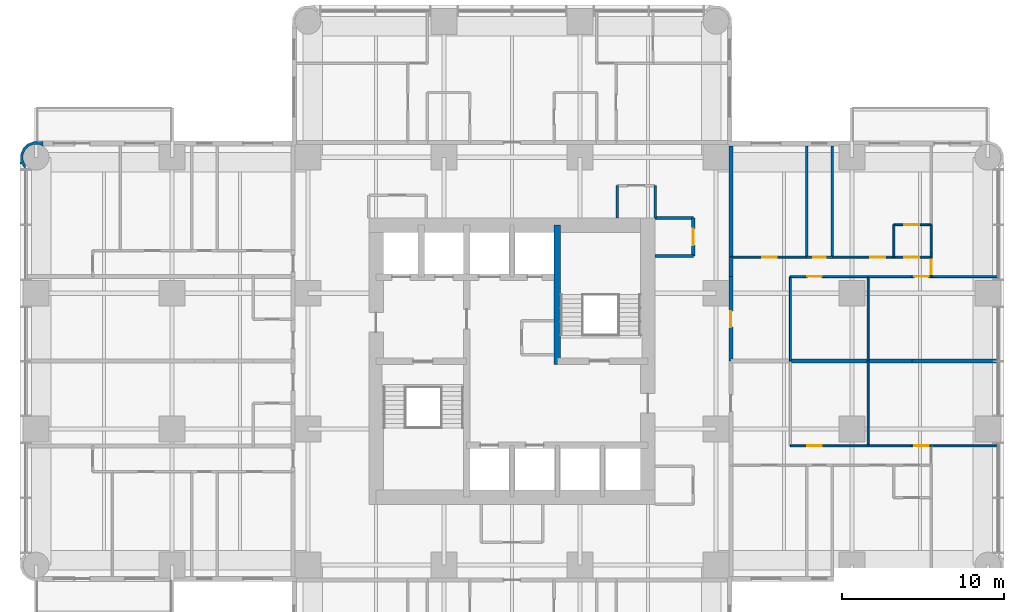
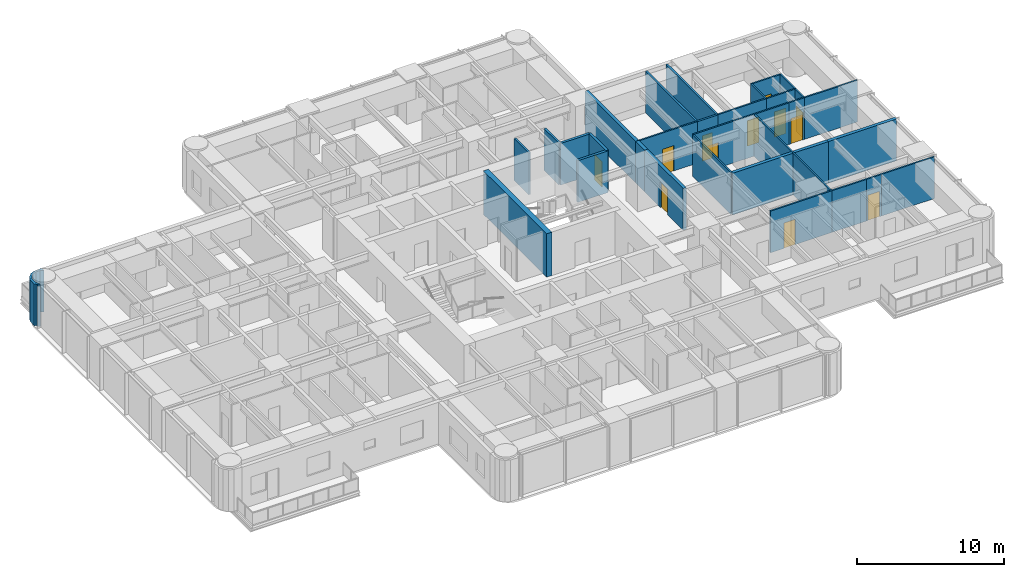
# One storey, part 10 of 14: 34 walls, 12 doors, 12 openings.
"""IFC4 building model written with IfcOpenShell, lengths in metres."""

from ifc_helpers import new_model, si_unit, direction, frame, frame_2d, origin, place, context, subcontext, project, spatial, polyline, rectangle, outline, extrude, material, layer, layer_set, type_object, element, fill, save


model = new_model("IFC4")

# Units and contexts
model_context = context("Model", 3, precision=1e-05, world=origin(), true_north=direction((0.0, 1.0)))
body_context = subcontext(model_context, "Body", "Model", "MODEL_VIEW")
ifc_project = project(units=[si_unit("LENGTHUNIT", "METRE"), si_unit("AREAUNIT", "SQUARE_METRE"), si_unit("VOLUMEUNIT", "CUBIC_METRE"), si_unit("PLANEANGLEUNIT", "RADIAN"), si_unit("MASSUNIT", "GRAM", prefix="KILO")], contexts=[model_context])

# Site, building, storey
site_placement = place(None, origin())
site = spatial("IfcSite", under=ifc_project, at=site_placement, CompositionType="ELEMENT")
building_placement = place(site_placement, origin())
building = spatial("IfcBuilding", under=site, at=building_placement, Name="Torre Alcanfor", CompositionType="ELEMENT")
storey_placement = place(building_placement, frame((0.0, 0.0, 137.699951171875)))
storey = spatial("IfcBuildingStorey", under=building, at=storey_placement, Name="L35", CompositionType="ELEMENT", Elevation=137.699951171875)

# Wall, opening, door
ifc_material_1 = material(Name="Concrete block masonry, hollow blocks NMX-C-404 9 MPa", Category="masonry")
ifc_layer_1 = layer(ifc_material_1, 0.25)
ifc_layer_set_1 = layer_set([ifc_layer_1], Name="Apartment entrance wall 250 EI 60")
wall_type_1 = type_object("IfcWallType", Name="Apartment entrance wall 250 EI 60", PredefinedType="PARTITIONING", material=ifc_layer_set_1)
wall_1_placement = place(storey_placement, frame((42.925048828125, 34.62890625, 0.0), z_axis=(0.0, 0.0, 1.0), x_axis=(0.0, -1.0, 0.0)))
wall_1 = element("IfcWall", 1, at=wall_1_placement, inside=storey, type_object=wall_type_1, Name="Partition L35-CORR / L35-E1-ZAG", PredefinedType="PARTITIONING", context=body_context, shape_type="SweptSolid", body=[
    extrude(rectangle(XDim=5.22900390625, YDim=0.25, at=frame_2d((2.614501953125, 0.0))), origin(), (0.0, 0.0, 1.0), 3.449951171875),
])
opening_1_placement = place(wall_1_placement, frame((2.12890625, 0.0, 0.0)))
opening_1 = element("IfcOpeningElement", 2, at=opening_1_placement, cuts=wall_1, Name="Opening D-A1", PredefinedType="OPENING", context=body_context, shape_type="SweptSolid", body=[
    extrude(rectangle(XDim=1.0, YDim=2.10009765625, at=frame_2d((0.5, 1.050048828125))), frame((0.0, 0.135009765625, 0.0), z_axis=(0.0, -1.0, 0.0), x_axis=(1.0, 0.0, 0.0)), (0.0, 0.0, 1.0), 0.27001953125),
])
ifc_material_2 = material(Name="Galvanised steel sheet ASTM A653", Category="steel")
door_type_1 = type_object("IfcDoorType", Name="Apartment entrance door FD60 1000x2100", OperationType="SINGLE_SWING_LEFT", PredefinedType="DOOR", material=ifc_material_2)
door_1_placement = place(opening_1_placement, origin())
door_1 = element("IfcDoor", 3, at=door_1_placement, inside=storey, type_object=door_type_1, Name="Apartment entrance L35-E1", OperationType="SINGLE_SWING_RIGHT", OverallHeight=2.10009765625, OverallWidth=1.0, PredefinedType="DOOR", context=body_context, shape_type="SweptSolid", body=[
    extrude(rectangle(XDim=1.0, YDim=2.10009765625, at=frame_2d((0.5, 1.050048828125))), frame((0.0, 0.02490234375, 0.0), z_axis=(0.0, -1.0, 0.0), x_axis=(1.0, 0.0, 0.0)), (0.0, 0.0, 1.0), 0.050048828125),
])
fill(opening_1, door_1)

# Walls
wall_2_placement = place(storey_placement, frame((42.925048828125, 35.8291015625, 0.0), z_axis=(0.0, 0.0, 1.0), x_axis=(0.0, -1.0, 0.0)))
element("IfcWall", 4, at=wall_2_placement, inside=storey, type_object=wall_type_1, Name="Partition L35-CORR / L35-E1-HALL", PredefinedType="PARTITIONING", context=body_context, shape_type="SweptSolid", body=[
    extrude(rectangle(XDim=1.2001953125, YDim=0.25, at=frame_2d((0.60009765625, 0.0))), origin(), (0.0, 0.0, 1.0), 3.449951171875),
])
wall_3_placement = place(storey_placement, frame((42.925048828125, 42.699951171875, 0.0), z_axis=(0.0, 0.0, 1.0), x_axis=(0.0, -1.0, 0.0)))
element("IfcWall", 5, at=wall_3_placement, inside=storey, type_object=wall_type_1, Name="Partition L35-CORR / L35-E1-BED2", PredefinedType="PARTITIONING", context=body_context, shape_type="SweptSolid", body=[
    extrude(rectangle(XDim=6.870849609375, YDim=0.25, at=frame_2d((3.435546875, 0.0))), origin(), (0.0, 0.0, 1.0), 3.449951171875),
])
ifc_material_3 = material(Name="Gypsum board on steel studs", Category="steel")
ifc_layer_2 = layer(ifc_material_3, 0.1201171875)
ifc_layer_set_2 = layer_set([ifc_layer_2], Name="Apartment partition 120")
wall_type_2 = type_object("IfcWallType", Name="Apartment partition 120", PredefinedType="PARTITIONING", material=ifc_layer_set_2)
for number, where, z_axis, x_axis, name in (
    (6, (46.60009765625, 29.39990234375, 0.0), (0.0, 0.0, 1.0), (0.0, 1.0, 0.0), "Partition L35-E1-ZAG / L35-E1-FAMILY"),
    (7, (51.39990234375, 29.39990234375, 0.0), (0.0, 0.0, 1.0), (0.0, 1.0, 0.0), "Partition L35-E1-FAMILY / L35-E1-KITCHEN"),
):
    element("IfcWall", number, at=place(storey_placement, frame(where, z_axis=z_axis, x_axis=x_axis)), inside=storey, type_object=wall_type_2, Name=name, PredefinedType="PARTITIONING", context=body_context, shape_type="SweptSolid", body=[
        extrude(rectangle(XDim=5.22900390625, YDim=0.1201171875, at=frame_2d((2.614501953125, 0.0))), origin(), (0.0, 0.0, 1.0), 3.449951171875),
    ])

# Wall, opening, door
wall_4_placement = place(storey_placement, frame((51.39990234375, 34.62890625, 0.0), z_axis=(0.0, 0.0, 1.0), x_axis=(-1.0, 0.0, 0.0)))
wall_4 = element("IfcWall", 8, at=wall_4_placement, inside=storey, type_object=wall_type_2, Name="Partition L35-E1-FAMILY / L35-E1-HALL", PredefinedType="PARTITIONING", context=body_context, shape_type="SweptSolid", body=[
    extrude(rectangle(XDim=4.7998046875, YDim=0.1201171875, at=frame_2d((2.39990234375, 0.0))), origin(), (0.0, 0.0, 1.0), 3.449951171875),
])
opening_2_placement = place(wall_4_placement, frame((2.85009765625, 0.0, 0.0)))
opening_2 = element("IfcOpeningElement", 9, at=opening_2_placement, cuts=wall_4, Name="Opening D-R1", PredefinedType="OPENING", context=body_context, shape_type="SweptSolid", body=[
    extrude(rectangle(XDim=0.89990234375, YDim=2.10009765625, at=frame_2d((0.449951171875, 1.050048828125))), frame((0.0, 0.070068359375, 0.0), z_axis=(0.0, -1.0, 0.0), x_axis=(1.0, 0.0, 0.0)), (0.0, 0.0, 1.0), 0.14013671875),
])
ifc_material_4 = material(Name="Timber", Category="wood")
door_type_2 = type_object("IfcDoorType", Name="Internal door 900x2100", OperationType="SINGLE_SWING_LEFT", PredefinedType="DOOR", material=ifc_material_4)
door_2_placement = place(opening_2_placement, origin())
door_2 = element("IfcDoor", 10, at=door_2_placement, inside=storey, type_object=door_type_2, Name="Door L35-E1 family", OperationType="SINGLE_SWING_RIGHT", OverallHeight=2.10009765625, OverallWidth=0.89990234375, PredefinedType="DOOR", context=body_context, shape_type="SweptSolid", body=[
    extrude(rectangle(XDim=0.89990234375, YDim=2.10009765625, at=frame_2d((0.449951171875, 1.050048828125))), frame((0.0, 0.02490234375, 0.0), z_axis=(0.0, -1.0, 0.0), x_axis=(1.0, 0.0, 0.0)), (0.0, 0.0, 1.0), 0.050048828125),
])
fill(opening_2, door_2)

# Wall
wall_5_placement = place(storey_placement, frame((54.10009765625, 34.62890625, 0.0), z_axis=(0.0, 0.0, 1.0), x_axis=(-1.0, 0.0, 0.0)))
element("IfcWall", 11, at=wall_5_placement, inside=storey, type_object=wall_type_2, Name="Partition L35-E1-KITCHEN / L35-E1-HALL", PredefinedType="PARTITIONING", context=body_context, shape_type="SweptSolid", body=[
    extrude(rectangle(XDim=2.7001953125, YDim=0.1201171875, at=frame_2d((1.35009765625, 0.0))), origin(), (0.0, 0.0, 1.0), 3.449951171875),
])

# Wall, opening, door
wall_6_placement = place(storey_placement, frame((55.300048828125, 34.62890625, 0.0), z_axis=(0.0, 0.0, 1.0), x_axis=(-1.0, 0.0, 0.0)))
wall_6 = element("IfcWall", 12, at=wall_6_placement, inside=storey, type_object=wall_type_2, Name="Partition L35-E1-LIVING / L35-E1-HALL", PredefinedType="PARTITIONING", context=body_context, shape_type="SweptSolid", body=[
    extrude(rectangle(XDim=1.199951171875, YDim=0.1201171875, at=frame_2d((0.60009765625, 0.0))), origin(), (0.0, 0.0, 1.0), 3.449951171875),
])
opening_3_placement = place(wall_6_placement, frame((0.14990234375, 0.0, 0.0)))
opening_3 = element("IfcOpeningElement", 13, at=opening_3_placement, cuts=wall_6, Name="Opening D-R1", PredefinedType="OPENING", context=body_context, shape_type="SweptSolid", body=[
    extrude(rectangle(XDim=0.89990234375, YDim=2.10009765625, at=frame_2d((0.449951171875, 1.050048828125))), frame((0.0, 0.070068359375, 0.0), z_axis=(0.0, -1.0, 0.0), x_axis=(1.0, 0.0, 0.0)), (0.0, 0.0, 1.0), 0.14013671875),
])
door_3_placement = place(opening_3_placement, origin())
door_3 = element("IfcDoor", 14, at=door_3_placement, inside=storey, type_object=door_type_2, Name="Door L35-E1 living", OperationType="SINGLE_SWING_RIGHT", OverallHeight=2.10009765625, OverallWidth=0.89990234375, PredefinedType="DOOR", context=body_context, shape_type="SweptSolid", body=[
    extrude(rectangle(XDim=0.89990234375, YDim=2.10009765625, at=frame_2d((0.449951171875, 1.050048828125))), frame((0.0, 0.02490234375, 0.0), z_axis=(0.0, -1.0, 0.0), x_axis=(1.0, 0.0, 0.0)), (0.0, 0.0, 1.0), 0.050048828125),
])
fill(opening_3, door_3)

# Wall
wall_7_placement = place(storey_placement, frame((59.449951171875, 34.62890625, 0.0), z_axis=(0.0, 0.0, 1.0), x_axis=(-1.0, 0.0, 0.0)))
element("IfcWall", 15, at=wall_7_placement, inside=storey, type_object=wall_type_2, Name="Partition L35-E1-LIVING / L35-E1-WGARD", PredefinedType="PARTITIONING", context=body_context, shape_type="SweptSolid", body=[
    extrude(rectangle(XDim=4.14990234375, YDim=0.1201171875, at=frame_2d((2.074951171875, 0.0))), origin(), (0.0, 0.0, 1.0), 3.449951171875),
])

# Wall, opening, door
wall_8_placement = place(storey_placement, frame((47.60009765625, 35.8291015625, 0.0), z_axis=(0.0, 0.0, 1.0), x_axis=(-1.0, 0.0, 0.0)))
wall_8 = element("IfcWall", 16, at=wall_8_placement, inside=storey, type_object=wall_type_2, Name="Partition L35-E1-HALL / L35-E1-BED2", PredefinedType="PARTITIONING", context=body_context, shape_type="SweptSolid", body=[
    extrude(rectangle(XDim=4.675048828125, YDim=0.1201171875, at=frame_2d((2.33740234375, 0.0))), origin(), (0.0, 0.0, 1.0), 3.449951171875),
])
opening_4_placement = place(wall_8_placement, frame((1.85009765625, 0.0, 0.0)))
opening_4 = element("IfcOpeningElement", 17, at=opening_4_placement, cuts=wall_8, Name="Opening D-R1", PredefinedType="OPENING", context=body_context, shape_type="SweptSolid", body=[
    extrude(rectangle(XDim=0.89990234375, YDim=2.10009765625, at=frame_2d((0.449951171875, 1.050048828125))), frame((0.0, 0.070068359375, 0.0), z_axis=(0.0, -1.0, 0.0), x_axis=(1.0, 0.0, 0.0)), (0.0, 0.0, 1.0), 0.14013671875),
])
door_4_placement = place(opening_4_placement, frame((0.89990234375, 0.0, 0.0), z_axis=(0.0, 0.0, 1.0), x_axis=(-1.0, 0.0, 0.0)))
door_4 = element("IfcDoor", 18, at=door_4_placement, inside=storey, type_object=door_type_2, Name="Door L35-E1 bed2", OperationType="SINGLE_SWING_RIGHT", OverallHeight=2.10009765625, OverallWidth=0.89990234375, PredefinedType="DOOR", context=body_context, shape_type="SweptSolid", body=[
    extrude(rectangle(XDim=0.89990234375, YDim=2.10009765625, at=frame_2d((0.449951171875, 1.050048828125))), frame((0.0, 0.025146484375, 0.0), z_axis=(0.0, -1.0, 0.0), x_axis=(1.0, 0.0, 0.0)), (0.0, 0.0, 1.0), 0.050048828125),
])
fill(opening_4, door_4)

wall_9_placement = place(storey_placement, frame((53.0, 35.8291015625, 0.0), z_axis=(0.0, 0.0, 1.0), x_axis=(-1.0, 0.0, 0.0)))
wall_9 = element("IfcWall", 19, at=wall_9_placement, inside=storey, type_object=wall_type_2, Name="Partition L35-E1-HALL / L35-E1-MASTER", PredefinedType="PARTITIONING", context=body_context, shape_type="SweptSolid", body=[
    extrude(rectangle(XDim=3.800048828125, YDim=0.1201171875, at=frame_2d((1.89990234375, 0.0))), origin(), (0.0, 0.0, 1.0), 3.449951171875),
])
opening_5_placement = place(wall_9_placement, frame((0.550048828125, 0.0, 0.0)))
opening_5 = element("IfcOpeningElement", 20, at=opening_5_placement, cuts=wall_9, Name="Opening D-R1", PredefinedType="OPENING", context=body_context, shape_type="SweptSolid", body=[
    extrude(rectangle(XDim=0.89990234375, YDim=2.10009765625, at=frame_2d((0.449951171875, 1.050048828125))), frame((0.0, 0.070068359375, 0.0), z_axis=(0.0, -1.0, 0.0), x_axis=(1.0, 0.0, 0.0)), (0.0, 0.0, 1.0), 0.14013671875),
])
door_5_placement = place(opening_5_placement, frame((0.89990234375, 0.0, 0.0), z_axis=(0.0, 0.0, 1.0), x_axis=(-1.0, 0.0, 0.0)))
door_5 = element("IfcDoor", 21, at=door_5_placement, inside=storey, type_object=door_type_2, Name="Door L35-E1 master", OperationType="SINGLE_SWING_RIGHT", OverallHeight=2.10009765625, OverallWidth=0.89990234375, PredefinedType="DOOR", context=body_context, shape_type="SweptSolid", body=[
    extrude(rectangle(XDim=0.89990234375, YDim=2.10009765625, at=frame_2d((0.449951171875, 1.050048828125))), frame((0.0, 0.025146484375, 0.0), z_axis=(0.0, -1.0, 0.0), x_axis=(1.0, 0.0, 0.0)), (0.0, 0.0, 1.0), 0.050048828125),
])
fill(opening_5, door_5)

wall_10_placement = place(storey_placement, frame((55.300048828125, 35.8291015625, 0.0), z_axis=(0.0, 0.0, 1.0), x_axis=(-1.0, 0.0, 0.0)))
wall_10 = element("IfcWall", 22, at=wall_10_placement, inside=storey, type_object=wall_type_2, Name="Partition L35-E1-HALL / L35-E1-VEST", PredefinedType="PARTITIONING", context=body_context, shape_type="SweptSolid", body=[
    extrude(rectangle(XDim=2.300048828125, YDim=0.1201171875, at=frame_2d((1.14990234375, 0.0))), origin(), (0.0, 0.0, 1.0), 3.449951171875),
])
opening_6_placement = place(wall_10_placement, frame((0.75, 0.0, 0.0)))
opening_6 = element("IfcOpeningElement", 23, at=opening_6_placement, cuts=wall_10, Name="Opening D-R1", PredefinedType="OPENING", context=body_context, shape_type="SweptSolid", body=[
    extrude(rectangle(XDim=0.89990234375, YDim=2.10009765625, at=frame_2d((0.449951171875, 1.050048828125))), frame((0.0, 0.070068359375, 0.0), z_axis=(0.0, -1.0, 0.0), x_axis=(1.0, 0.0, 0.0)), (0.0, 0.0, 1.0), 0.14013671875),
])
door_6_placement = place(opening_6_placement, frame((0.89990234375, 0.0, 0.0), z_axis=(0.0, 0.0, 1.0), x_axis=(-1.0, 0.0, 0.0)))
door_6 = element("IfcDoor", 24, at=door_6_placement, inside=storey, type_object=door_type_2, Name="Door L35-E1 vest", OperationType="SINGLE_SWING_LEFT", OverallHeight=2.10009765625, OverallWidth=0.89990234375, PredefinedType="DOOR", context=body_context, shape_type="SweptSolid", body=[
    extrude(rectangle(XDim=0.89990234375, YDim=2.10009765625, at=frame_2d((0.449951171875, 1.050048828125))), frame((0.0, 0.025146484375, 0.0), z_axis=(0.0, -1.0, 0.0), x_axis=(1.0, 0.0, 0.0)), (0.0, 0.0, 1.0), 0.050048828125),
])
fill(opening_6, door_6)

wall_11_placement = place(storey_placement, frame((55.300048828125, 34.62890625, 0.0), z_axis=(0.0, 0.0, 1.0), x_axis=(0.0, 1.0, 0.0)))
wall_11 = element("IfcWall", 25, at=wall_11_placement, inside=storey, type_object=wall_type_2, Name="Partition L35-E1-HALL / L35-E1-WGARD", PredefinedType="PARTITIONING", context=body_context, shape_type="SweptSolid", body=[
    extrude(rectangle(XDim=1.2001953125, YDim=0.1201171875, at=frame_2d((0.60009765625, 0.0))), origin(), (0.0, 0.0, 1.0), 3.449951171875),
])
opening_7_placement = place(wall_11_placement, frame((0.15087890625, 0.0, 0.0)))
opening_7 = element("IfcOpeningElement", 26, at=opening_7_placement, cuts=wall_11, Name="Opening D-R1", PredefinedType="OPENING", context=body_context, shape_type="SweptSolid", body=[
    extrude(rectangle(XDim=0.89990234375, YDim=2.10009765625, at=frame_2d((0.449951171875, 1.050048828125))), frame((0.0, 0.070068359375, 0.0), z_axis=(0.0, -1.0, 0.0), x_axis=(1.0, 0.0, 0.0)), (0.0, 0.0, 1.0), 0.14013671875),
])
door_7_placement = place(opening_7_placement, frame((0.89990234375, 0.0, 0.0), z_axis=(0.0, 0.0, 1.0), x_axis=(-1.0, 0.0, 0.0)))
door_7 = element("IfcDoor", 27, at=door_7_placement, inside=storey, type_object=door_type_2, Name="Door L35-E1 wgard", OperationType="SINGLE_SWING_RIGHT", OverallHeight=2.10009765625, OverallWidth=0.89990234375, PredefinedType="DOOR", context=body_context, shape_type="SweptSolid", body=[
    extrude(rectangle(XDim=0.89990234375, YDim=2.10009765625, at=frame_2d((0.449951171875, 1.050048828125))), frame((0.0, 0.025146484375, 0.0), z_axis=(0.0, -1.0, 0.0), x_axis=(1.0, 0.0, 0.0)), (0.0, 0.0, 1.0), 0.050048828125),
])
fill(opening_7, door_7)

wall_12_placement = place(storey_placement, frame((55.300048828125, 37.8291015625, 0.0), z_axis=(0.0, 0.0, 1.0), x_axis=(-1.0, 0.0, 0.0)))
wall_12 = element("IfcWall", 28, at=wall_12_placement, inside=storey, type_object=wall_type_2, Name="Partition L35-E1-MASTER / L35-E1-VEST", PredefinedType="PARTITIONING", context=body_context, shape_type="SweptSolid", body=[
    extrude(rectangle(XDim=2.300048828125, YDim=0.1201171875, at=frame_2d((1.14990234375, 0.0))), origin(), (0.0, 0.0, 1.0), 3.449951171875),
])
opening_8_placement = place(wall_12_placement, frame((0.75, 0.0, 0.0)))
opening_8 = element("IfcOpeningElement", 29, at=opening_8_placement, cuts=wall_12, Name="Opening D-R1", PredefinedType="OPENING", context=body_context, shape_type="SweptSolid", body=[
    extrude(rectangle(XDim=0.89990234375, YDim=2.10009765625, at=frame_2d((0.449951171875, 1.050048828125))), frame((0.0, 0.070068359375, 0.0), z_axis=(0.0, -1.0, 0.0), x_axis=(1.0, 0.0, 0.0)), (0.0, 0.0, 1.0), 0.14013671875),
])
door_8_placement = place(opening_8_placement, origin())
door_8 = element("IfcDoor", 30, at=door_8_placement, inside=storey, type_object=door_type_2, Name="Door L35-E1 master", OperationType="SINGLE_SWING_RIGHT", OverallHeight=2.10009765625, OverallWidth=0.89990234375, PredefinedType="DOOR", context=body_context, shape_type="SweptSolid", body=[
    extrude(rectangle(XDim=0.89990234375, YDim=2.10009765625, at=frame_2d((0.449951171875, 1.050048828125))), frame((0.0, 0.02490234375, 0.0), z_axis=(0.0, -1.0, 0.0), x_axis=(1.0, 0.0, 0.0)), (0.0, 0.0, 1.0), 0.050048828125),
])
fill(opening_8, door_8)

# Walls
for number, where, z_axis, x_axis, name in (
    (31, (53.0, 37.8291015625, 0.0), (0.0, 0.0, 1.0), (0.0, -1.0, 0.0), "Partition L35-E1-MASTER / L35-E1-VEST"),
    (32, (55.300048828125, 35.8291015625, 0.0), (0.0, 0.0, 1.0), (0.0, 1.0, 0.0), "Partition L35-E1-VEST / L35-E1-WGARD"),
):
    element("IfcWall", number, at=place(storey_placement, frame(where, z_axis=z_axis, x_axis=x_axis)), inside=storey, type_object=wall_type_2, Name=name, PredefinedType="PARTITIONING", context=body_context, shape_type="SweptSolid", body=[
        extrude(rectangle(XDim=2.0, YDim=0.1201171875, at=frame_2d((1.0, 0.0))), origin(), (0.0, 0.0, 1.0), 3.449951171875),
    ])
wall_13_placement = place(storey_placement, frame((51.39990234375, 29.39990234375, 0.0), z_axis=(0.0, 0.0, 1.0), x_axis=(0.0, -1.0, 0.0)))
element("IfcWall", 33, at=wall_13_placement, inside=storey, type_object=wall_type_2, Name="Partition L35-E2-FAMILY / L35-E2-KITCHEN", PredefinedType="PARTITIONING", context=body_context, shape_type="SweptSolid", body=[
    extrude(rectangle(XDim=5.22900390625, YDim=0.1201171875, at=frame_2d((2.614501953125, 0.0))), origin(), (0.0, 0.0, 1.0), 3.449951171875),
])

# Wall, opening, door
wall_14_placement = place(storey_placement, frame((51.39990234375, 24.1708984375, 0.0), z_axis=(0.0, 0.0, 1.0), x_axis=(-1.0, 0.0, 0.0)))
wall_14 = element("IfcWall", 34, at=wall_14_placement, inside=storey, type_object=wall_type_2, Name="Partition L35-E2-FAMILY / L35-E2-HALL", PredefinedType="PARTITIONING", context=body_context, shape_type="SweptSolid", body=[
    extrude(rectangle(XDim=4.7998046875, YDim=0.1201171875, at=frame_2d((2.39990234375, 0.0))), origin(), (0.0, 0.0, 1.0), 3.449951171875),
])
opening_9_placement = place(wall_14_placement, frame((2.85009765625, 0.0, 0.0)))
opening_9 = element("IfcOpeningElement", 35, at=opening_9_placement, cuts=wall_14, Name="Opening D-R1", PredefinedType="OPENING", context=body_context, shape_type="SweptSolid", body=[
    extrude(rectangle(XDim=0.89990234375, YDim=2.10009765625, at=frame_2d((0.449951171875, 1.050048828125))), frame((0.0, 0.070068359375, 0.0), z_axis=(0.0, -1.0, 0.0), x_axis=(1.0, 0.0, 0.0)), (0.0, 0.0, 1.0), 0.14013671875),
])
door_9_placement = place(opening_9_placement, frame((0.89990234375, 0.0, 0.0), z_axis=(0.0, 0.0, 1.0), x_axis=(-1.0, 0.0, 0.0)))
door_9 = element("IfcDoor", 36, at=door_9_placement, inside=storey, type_object=door_type_2, Name="Door L35-E2 family", OperationType="SINGLE_SWING_LEFT", OverallHeight=2.10009765625, OverallWidth=0.89990234375, PredefinedType="DOOR", context=body_context, shape_type="SweptSolid", body=[
    extrude(rectangle(XDim=0.89990234375, YDim=2.10009765625, at=frame_2d((0.449951171875, 1.050048828125))), frame((0.0, 0.025146484375, 0.0), z_axis=(0.0, -1.0, 0.0), x_axis=(1.0, 0.0, 0.0)), (0.0, 0.0, 1.0), 0.050048828125),
])
fill(opening_9, door_9)

# Wall
wall_15_placement = place(storey_placement, frame((54.10009765625, 24.1708984375, 0.0), z_axis=(0.0, 0.0, 1.0), x_axis=(-1.0, 0.0, 0.0)))
element("IfcWall", 37, at=wall_15_placement, inside=storey, type_object=wall_type_2, Name="Partition L35-E2-KITCHEN / L35-E2-HALL", PredefinedType="PARTITIONING", context=body_context, shape_type="SweptSolid", body=[
    extrude(rectangle(XDim=2.7001953125, YDim=0.1201171875, at=frame_2d((1.35009765625, 0.0))), origin(), (0.0, 0.0, 1.0), 3.449951171875),
])

# Wall, opening, door
wall_16_placement = place(storey_placement, frame((55.300048828125, 24.1708984375, 0.0), z_axis=(0.0, 0.0, 1.0), x_axis=(-1.0, 0.0, 0.0)))
wall_16 = element("IfcWall", 38, at=wall_16_placement, inside=storey, type_object=wall_type_2, Name="Partition L35-E2-LIVING / L35-E2-HALL", PredefinedType="PARTITIONING", context=body_context, shape_type="SweptSolid", body=[
    extrude(rectangle(XDim=1.199951171875, YDim=0.1201171875, at=frame_2d((0.60009765625, 0.0))), origin(), (0.0, 0.0, 1.0), 3.449951171875),
])
opening_10_placement = place(wall_16_placement, frame((0.14990234375, 0.0, 0.0)))
opening_10 = element("IfcOpeningElement", 39, at=opening_10_placement, cuts=wall_16, Name="Opening D-R1", PredefinedType="OPENING", context=body_context, shape_type="SweptSolid", body=[
    extrude(rectangle(XDim=0.89990234375, YDim=2.10009765625, at=frame_2d((0.449951171875, 1.050048828125))), frame((0.0, 0.070068359375, 0.0), z_axis=(0.0, -1.0, 0.0), x_axis=(1.0, 0.0, 0.0)), (0.0, 0.0, 1.0), 0.14013671875),
])
door_10_placement = place(opening_10_placement, frame((0.89990234375, 0.0, 0.0), z_axis=(0.0, 0.0, 1.0), x_axis=(-1.0, 0.0, 0.0)))
door_10 = element("IfcDoor", 40, at=door_10_placement, inside=storey, type_object=door_type_2, Name="Door L35-E2 living", OperationType="SINGLE_SWING_LEFT", OverallHeight=2.10009765625, OverallWidth=0.89990234375, PredefinedType="DOOR", context=body_context, shape_type="SweptSolid", body=[
    extrude(rectangle(XDim=0.89990234375, YDim=2.10009765625, at=frame_2d((0.449951171875, 1.050048828125))), frame((0.0, 0.025146484375, 0.0), z_axis=(0.0, -1.0, 0.0), x_axis=(1.0, 0.0, 0.0)), (0.0, 0.0, 1.0), 0.050048828125),
])
fill(opening_10, door_10)

# Walls
wall_17_placement = place(storey_placement, frame((59.449951171875, 24.1708984375, 0.0), z_axis=(0.0, 0.0, 1.0), x_axis=(-1.0, 0.0, 0.0)))
element("IfcWall", 41, at=wall_17_placement, inside=storey, type_object=wall_type_2, Name="Partition L35-E2-LIVING / L35-E2-WGARD", PredefinedType="PARTITIONING", context=body_context, shape_type="SweptSolid", body=[
    extrude(rectangle(XDim=4.14990234375, YDim=0.1201171875, at=frame_2d((2.074951171875, 0.0))), origin(), (0.0, 0.0, 1.0), 3.449951171875),
])
ifc_material_5 = material(Name="Concrete f'c 70 MPa", Category="concrete")
ifc_layer_3 = layer(ifc_material_5, 0.39990234375)
ifc_layer_set_3 = layer_set([ifc_layer_3], Name="Core inner wall 400 f'c70")
wall_type_3 = type_object("IfcWallType", Name="Core inner wall 400 f'c70", PredefinedType="SHEAR", material=ifc_layer_set_3)
wall_18_placement = place(storey_placement, frame((32.199951171875, 29.199951171875, 0.0), z_axis=(0.0, 0.0, 1.0), x_axis=(0.0, 1.0, 0.0)))
element("IfcWall", 42, at=wall_18_placement, inside=storey, type_object=wall_type_3, Name="Core wall X322N L35", PredefinedType="SHEAR", context=body_context, shape_type="SweptSolid", body=[
    extrude(rectangle(XDim=8.60009765625, YDim=0.39990234375, at=frame_2d((4.300048828125, 0.0))), origin(), (0.0, 0.0, 1.0), 3.60009765625),
])
ifc_material_6 = material(Name="Concrete block masonry, hollow blocks NMX-C-404 9 MPa", Category="masonry")
ifc_layer_4 = layer(ifc_material_6, 0.25)
ifc_layer_set_4 = layer_set([ifc_layer_4], Name="Party wall 250 EI 60")
wall_type_4 = type_object("IfcWallType", Name="Party wall 250 EI 60", PredefinedType="PARTITIONING", material=ifc_layer_set_4)
wall_19_placement = place(storey_placement, frame((46.60009765625, 29.39990234375, 0.0), z_axis=(0.0, 0.0, 1.0), x_axis=(1.0, 0.0, 0.0)))
element("IfcWall", 43, at=wall_19_placement, inside=storey, type_object=wall_type_4, Name="Partition L35-E1-FAMILY / L35-E2-FAMILY", PredefinedType="PARTITIONING", context=body_context, shape_type="SweptSolid", body=[
    extrude(rectangle(XDim=4.7998046875, YDim=0.25, at=frame_2d((2.39990234375, 0.0))), origin(), (0.0, 0.0, 1.0), 3.449951171875),
])
wall_20_placement = place(storey_placement, frame((51.39990234375, 29.39990234375, 0.0), z_axis=(0.0, 0.0, 1.0), x_axis=(1.0, 0.0, 0.0)))
element("IfcWall", 44, at=wall_20_placement, inside=storey, type_object=wall_type_4, Name="Partition L35-E1-KITCHEN / L35-E2-KITCHEN", PredefinedType="PARTITIONING", context=body_context, shape_type="SweptSolid", body=[
    extrude(rectangle(XDim=2.7001953125, YDim=0.25, at=frame_2d((1.35009765625, 0.0))), origin(), (0.0, 0.0, 1.0), 3.449951171875),
])
wall_21_placement = place(storey_placement, frame((54.10009765625, 29.39990234375, 0.0), z_axis=(0.0, 0.0, 1.0), x_axis=(1.0, 0.0, 0.0)))
element("IfcWall", 45, at=wall_21_placement, inside=storey, type_object=wall_type_4, Name="Partition L35-E1-LIVING / L35-E2-LIVING", PredefinedType="PARTITIONING", context=body_context, shape_type="SweptSolid", body=[
    extrude(rectangle(XDim=5.349853515625, YDim=0.25, at=frame_2d((2.6748046875, 0.0))), origin(), (0.0, 0.0, 1.0), 3.449951171875),
])
ifc_material_7 = material(Name="Concrete block masonry, hollow blocks NMX-C-404 9 MPa", Category="masonry")
ifc_layer_5 = layer(ifc_material_7, 0.199951171875)
ifc_layer_set_5 = layer_set([ifc_layer_5], Name="Plant room wall 200 EI 60")
wall_type_5 = type_object("IfcWallType", Name="Plant room wall 200 EI 60", PredefinedType="PARTITIONING", material=ifc_layer_set_5)
wall_22_placement = place(storey_placement, frame((38.25, 35.89990234375, 0.0), z_axis=(0.0, 0.0, 1.0), x_axis=(1.0, 0.0, 0.0)))
element("IfcWall", 46, at=wall_22_placement, inside=storey, type_object=wall_type_5, Name="Partition L35-CORR / L35-G04", PredefinedType="PARTITIONING", context=body_context, shape_type="SweptSolid", body=[
    extrude(rectangle(XDim=2.35009765625, YDim=0.199951171875, at=frame_2d((1.175048828125, 0.0))), origin(), (0.0, 0.0, 1.0), 3.449951171875),
])

# Wall, opening, door
wall_23_placement = place(storey_placement, frame((40.60009765625, 35.89990234375, 0.0), z_axis=(0.0, 0.0, 1.0), x_axis=(0.0, 1.0, 0.0)))
wall_23 = element("IfcWall", 47, at=wall_23_placement, inside=storey, type_object=wall_type_5, Name="Partition L35-CORR / L35-G04", PredefinedType="PARTITIONING", context=body_context, shape_type="SweptSolid", body=[
    extrude(rectangle(XDim=2.35009765625, YDim=0.199951171875, at=frame_2d((1.175048828125, 0.0))), origin(), (0.0, 0.0, 1.0), 3.449951171875),
])
opening_11_placement = place(wall_23_placement, frame((0.675048828125, 0.0, 0.0)))
opening_11 = element("IfcOpeningElement", 48, at=opening_11_placement, cuts=wall_23, Name="Opening D-K1", PredefinedType="OPENING", context=body_context, shape_type="SweptSolid", body=[
    extrude(rectangle(XDim=1.0, YDim=2.10009765625, at=frame_2d((0.5, 1.050048828125))), frame((0.0, 0.10986328125, 0.0), z_axis=(0.0, -1.0, 0.0), x_axis=(1.0, 0.0, 0.0)), (0.0, 0.0, 1.0), 0.219970703125),
])
ifc_material_8 = material(Name="Galvanised steel sheet ASTM A653", Category="steel")
door_type_3 = type_object("IfcDoorType", Name="Core room door FD60 1000x2100", OperationType="SINGLE_SWING_LEFT", PredefinedType="DOOR", material=ifc_material_8)
door_11_placement = place(opening_11_placement, origin())
door_11 = element("IfcDoor", 49, at=door_11_placement, inside=storey, type_object=door_type_3, Name="Door L35-G04 refuse and recycling store", OperationType="SINGLE_SWING_LEFT", OverallHeight=2.10009765625, OverallWidth=1.0, PredefinedType="DOOR", context=body_context, shape_type="SweptSolid", body=[
    extrude(rectangle(XDim=1.0, YDim=2.10009765625, at=frame_2d((0.5, 1.050048828125))), frame((0.0, 0.02490234375, 0.0), z_axis=(0.0, -1.0, 0.0), x_axis=(1.0, 0.0, 0.0)), (0.0, 0.0, 1.0), 0.050048828125),
])
fill(opening_11, door_11)

# Walls
wall_24_placement = place(storey_placement, frame((40.60009765625, 38.25, 0.0), z_axis=(0.0, 0.0, 1.0), x_axis=(-1.0, 0.0, 0.0)))
element("IfcWall", 50, at=wall_24_placement, inside=storey, type_object=wall_type_5, Name="Partition L35-CORR / L35-G04", PredefinedType="PARTITIONING", context=body_context, shape_type="SweptSolid", body=[
    extrude(rectangle(XDim=2.35009765625, YDim=0.199951171875, at=frame_2d((1.175048828125, 0.0))), origin(), (0.0, 0.0, 1.0), 3.449951171875),
])
ifc_material_9 = material(Name="Concrete block masonry, hollow blocks NMX-C-404 9 MPa", Category="masonry")
ifc_layer_6 = layer(ifc_material_9, 0.14990234375)
ifc_layer_set_6 = layer_set([ifc_layer_6], Name="Residents' room partition 150")
wall_type_6 = type_object("IfcWallType", Name="Residents' room partition 150", PredefinedType="PARTITIONING", material=ifc_layer_set_6)
for number, where, z_axis, x_axis, name in (
    (51, (38.25, 38.25, 0.0), (0.0, 0.0, 1.0), (0.0, 1.0, 0.0), "Partition L35-CORR / L35-G02"),
    (52, (35.89990234375, 40.25, 0.0), (0.0, 0.0, 1.0), (0.0, -1.0, 0.0), "Partition L35-CORR / L35-G02"),
):
    element("IfcWall", number, at=place(storey_placement, frame(where, z_axis=z_axis, x_axis=x_axis)), inside=storey, type_object=wall_type_6, Name=name, PredefinedType="PARTITIONING", context=body_context, shape_type="SweptSolid", body=[
        extrude(rectangle(XDim=2.0, YDim=0.14990234375, at=frame_2d((1.0, 0.0))), origin(), (0.0, 0.0, 1.0), 3.449951171875),
    ])
ifc_material_10 = material(Name="Limestone cladding", Category="masonry")
ifc_layer_7 = layer(ifc_material_10, 0.0400390625, Name="Facing")
ifc_material_11 = material(Name="Ventilated air cavity")
ifc_layer_8 = layer(ifc_material_11, 0.02001953125, ventilated=True, Name="Ventilated joint")
ifc_material_12 = material(Name="Mineral wool insulation", Category="insulation")
ifc_layer_9 = layer(ifc_material_12, 0.10009765625, Name="Insulation")
ifc_material_13 = material(Name="Concrete f'c 35 MPa", Category="concrete")
ifc_layer_10 = layer(ifc_material_13, 0.139892578125, Name="Backing")
ifc_layer_set_7 = layer_set([ifc_layer_7, ifc_layer_8, ifc_layer_9, ifc_layer_10], Name="Rounded corner pier stone-clad 300")
wall_type_7 = type_object("IfcWallType", Name="Rounded corner pier stone-clad 300", PredefinedType="SOLIDWALL", material=ifc_layer_set_7)
wall_25_placement = place(storey_placement, frame((0.326823795, 42.817059488, 0.0), z_axis=(0.0, 0.0, 1.0), x_axis=(-0.93923434088, 0.343276641956, 0.0)))
element("IfcWall", 53, at=wall_25_placement, inside=storey, type_object=wall_type_7, Name="Corner pier L35 13", PredefinedType="SOLIDWALL", context=body_context, shape_type="SweptSolid", body=[
    extrude(outline(polyline([(-0.005838677930572508, -0.19691017002240385), (0.2656725893480827, -0.05504723679548061), (0.5353355739365452, 0.04351070532859805), (0.8164808166219237, 0.3019667887790936), (0.9774010351300944, 0.6482698031873169), (0.9936526519661447, 1.0298167590229048), (0.8950947098420661, 1.2994797436113674), (0.8284439015683875, 1.5984799607341533), (0.6967504599124257, 1.5690632792769885), (0.6041212101125378, 1.6695954267902182), (0.39402236502400456, 1.7672242392847775), (0.4711255170258348, 1.5562634010012864), (0.5086990809760941, 1.538803702790635), (0.7241945805605172, 1.30408163961566), (0.8334799177457201, 1.0050675818747117), (0.8201287688443563, 0.6867053603325339), (0.6856890926223405, 0.3973889179155373), (0.4509670294473655, 0.1818934183311141), (0.15195297170641725, 0.07260808114591123), (-0.11630424425966698, 0.08399689688883538), (-0.12741215805145528, 0.07811756360614214), (-0.14598588403076265, 0.07132913391902448), (-0.005838677930572508, -0.19691017002240385)])), origin(), (0.0, 0.0, 1.0), 3.449951171875),
])

# Wall, opening, door
ifc_material_14 = material(Name="Cement board on steel studs", Category="steel")
ifc_layer_11 = layer(ifc_material_14, 0.14990234375)
ifc_layer_set_8 = layer_set([ifc_layer_11], Name="Wet area partition 150")
wall_type_8 = type_object("IfcWallType", Name="Wet area partition 150", PredefinedType="PARTITIONING", material=ifc_layer_set_8)
wall_26_placement = place(storey_placement, frame((49.199951171875, 35.8291015625, 0.0), z_axis=(0.0, 0.0, 1.0), x_axis=(-1.0, 0.0, 0.0)))
wall_26 = element("IfcWall", 54, at=wall_26_placement, inside=storey, type_object=wall_type_8, Name="Partition L35-E1-HALL / L35-E1-BATH1", PredefinedType="PARTITIONING", context=body_context, shape_type="SweptSolid", body=[
    extrude(rectangle(XDim=1.599853515625, YDim=0.14990234375, at=frame_2d((0.7998046875, 0.0))), origin(), (0.0, 0.0, 1.0), 3.449951171875),
])
opening_12_placement = place(wall_26_placement, frame((0.39990234375, 0.0, 0.0)))
opening_12 = element("IfcOpeningElement", 55, at=opening_12_placement, cuts=wall_26, Name="Opening D-R2", PredefinedType="OPENING", context=body_context, shape_type="SweptSolid", body=[
    extrude(rectangle(XDim=0.800048828125, YDim=2.10009765625, at=frame_2d((0.39990234375, 1.050048828125))), frame((0.0, 0.0849609375, 0.0), z_axis=(0.0, -1.0, 0.0), x_axis=(1.0, 0.0, 0.0)), (0.0, 0.0, 1.0), 0.169921875),
])
ifc_material_15 = material(Name="Timber", Category="wood")
door_type_4 = type_object("IfcDoorType", Name="Bathroom door 800x2100", OperationType="SINGLE_SWING_LEFT", PredefinedType="DOOR", material=ifc_material_15)
door_12_placement = place(opening_12_placement, frame((0.800048828125, 0.0, 0.0), z_axis=(0.0, 0.0, 1.0), x_axis=(-1.0, 0.0, 0.0)))
door_12 = element("IfcDoor", 56, at=door_12_placement, inside=storey, type_object=door_type_4, Name="Door L35-E1 bath1", OperationType="SINGLE_SWING_RIGHT", OverallHeight=2.10009765625, OverallWidth=0.800048828125, PredefinedType="DOOR", context=body_context, shape_type="SweptSolid", body=[
    extrude(rectangle(XDim=0.800048828125, YDim=2.10009765625, at=frame_2d((0.400146484375, 1.050048828125))), frame((0.0, 0.025146484375, 0.0), z_axis=(0.0, -1.0, 0.0), x_axis=(1.0, 0.0, 0.0)), (0.0, 0.0, 1.0), 0.050048828125),
])
fill(opening_12, door_12)

# Walls
for number, where, z_axis, x_axis, name in (
    (57, (47.60009765625, 35.8291015625, 0.0), (0.0, 0.0, 1.0), (0.0, 1.0, 0.0), "Partition L35-E1-BED2 / L35-E1-BATH1"),
    (58, (49.199951171875, 35.8291015625, 0.0), (0.0, 0.0, 1.0), (0.0, 1.0, 0.0), "Partition L35-E1-BATH1 / L35-E1-MASTER"),
):
    element("IfcWall", number, at=place(storey_placement, frame(where, z_axis=z_axis, x_axis=x_axis)), inside=storey, type_object=wall_type_8, Name=name, PredefinedType="PARTITIONING", context=body_context, shape_type="SweptSolid", body=[
        extrude(rectangle(XDim=6.870849609375, YDim=0.14990234375, at=frame_2d((3.435546875, 0.0))), origin(), (0.0, 0.0, 1.0), 3.449951171875),
    ])

save(model, "model.ifc")
